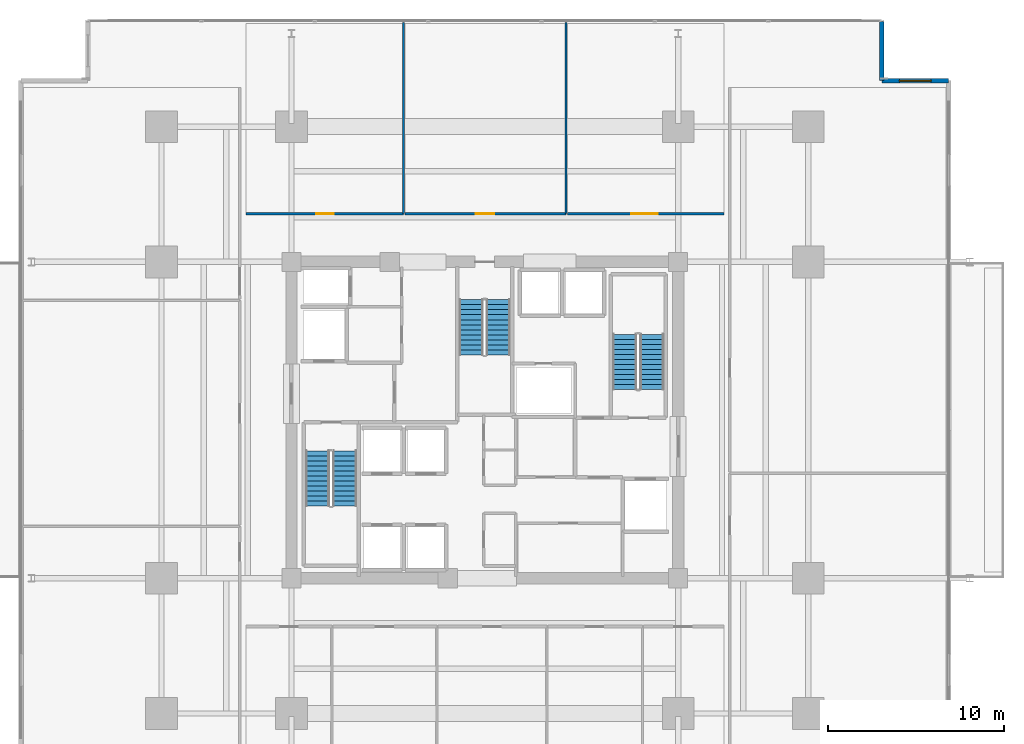
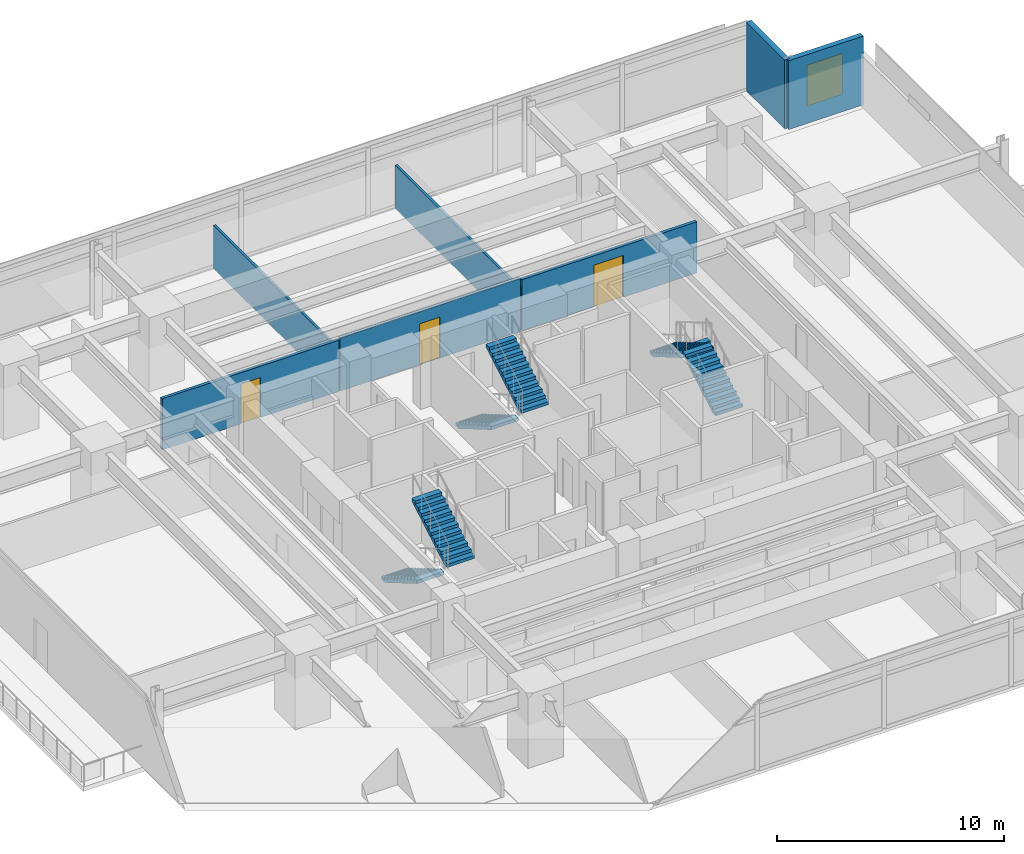
# One storey, part 19 of 23: 7 walls, 6 stair flights, 3 doors, 1 window, 4 openings, 3 elements without a shape of their own.
"""IFC4 building model written with IfcOpenShell, lengths in metres."""

from ifc_helpers import new_model, si_unit, direction, frame, frame_2d, origin, place, context, subcontext, project, spatial, polyline, rectangle, outline, extrude, material, layer, layer_set, type_object, element, fill, aggregate, save


model = new_model("IFC4")

# Units and contexts
model_context = context("Model", 3, precision=1e-05, world=origin(), true_north=direction((0.0, 1.0)))
body_context = subcontext(model_context, "Body", "Model", "MODEL_VIEW")
ifc_project = project(units=[si_unit("LENGTHUNIT", "METRE"), si_unit("AREAUNIT", "SQUARE_METRE"), si_unit("VOLUMEUNIT", "CUBIC_METRE"), si_unit("PLANEANGLEUNIT", "RADIAN"), si_unit("MASSUNIT", "GRAM", prefix="KILO")], contexts=[model_context])

# Site, building, storey
site_placement = place(None, origin())
site = spatial("IfcSite", under=ifc_project, at=site_placement, CompositionType="ELEMENT")
building_placement = place(site_placement, origin())
building = spatial("IfcBuilding", under=site, at=building_placement, Name="Kovane Verandah Tower", CompositionType="ELEMENT")
storey_placement = place(building_placement, frame((0.0, 0.0, 103.60009765625)))
storey = spatial("IfcBuildingStorey", under=building, at=storey_placement, Name="L24", CompositionType="ELEMENT", Elevation=103.60009765625)

# Wall, opening, door
ifc_material_1 = material(Name="Fire-Rated Gypsum Stud Partition", Category="gypsum")
ifc_layer_1 = layer(ifc_material_1, 0.14990234375)
ifc_layer_set_1 = layer_set([ifc_layer_1], Name="Fire-Rated Gypsum Stud Partition")
wall_type_1 = type_object("IfcWallType", Name="WL-COR-150", PredefinedType="PARTITIONING", material=ifc_layer_set_1)
wall_1_placement = place(storey_placement, frame((26.39990234375, 39.25, 0.0), z_axis=(0.0, 0.0, 1.0), x_axis=(1.0, 0.0, 0.0)))
wall_1 = element("IfcWall", 1, at=wall_1_placement, inside=storey, type_object=wall_type_1, Name="L24 Open Plan Office N1 Corridor Partition", PredefinedType="PARTITIONING", context=body_context, shape_type="SweptSolid", body=[
    extrude(rectangle(XDim=8.97607421875, YDim=0.14990234375, at=frame_2d((4.488037109375, 0.0))), origin(), (0.0, 0.0, 1.0), 2.75341796875),
])
opening_1_placement = place(wall_1_placement, frame((4.0029296875, 0.0, 0.0)))
opening_1 = element("IfcOpeningElement", 2, at=opening_1_placement, cuts=wall_1, Name="Opening DR-L24-017", PredefinedType="OPENING", context=body_context, shape_type="SweptSolid", body=[
    extrude(rectangle(XDim=1.0, YDim=2.14990234375, at=frame_2d((0.5, 1.074951171875))), frame((0.0, 0.074951171875, 0.0), z_axis=(0.0, -1.0, 0.0), x_axis=(1.0, 0.0, 0.0)), (0.0, 0.0, 1.0), 0.14990234375),
])
ifc_material_2 = material(Name="FSC Spotted-Gum Timber Fire-Rated Office Door", Category="wood")
door_type_1 = type_object("IfcDoorType", Name="DR-OFF-1000", OperationType="SINGLE_SWING_LEFT", PredefinedType="DOOR", material=ifc_material_2)
door_1_placement = place(opening_1_placement, origin())
door_1 = element("IfcDoor", 3, at=door_1_placement, inside=storey, type_object=door_type_1, Name="L24 Open Plan Office N1 Entrance Door", OperationType="SINGLE_SWING_LEFT", OverallHeight=2.14990234375, OverallWidth=1.0, PredefinedType="DOOR", context=body_context, shape_type="SweptSolid", body=[
    extrude(rectangle(XDim=1.0, YDim=2.14990234375, at=frame_2d((0.5, 1.074951171875))), frame((0.0, 0.02490234375, 0.0), z_axis=(0.0, -1.0, 0.0), x_axis=(1.0, 0.0, 0.0)), (0.0, 0.0, 1.0), 0.050048828125),
])
fill(opening_1, door_1)

wall_2_placement = place(storey_placement, frame((35.446044921875, 39.25, 0.0), z_axis=(0.0, 0.0, 1.0), x_axis=(1.0, 0.0, 0.0)))
wall_2 = element("IfcWall", 4, at=wall_2_placement, inside=storey, type_object=wall_type_1, Name="L24 Executive Office N2 Corridor Partition", PredefinedType="PARTITIONING", context=body_context, shape_type="SweptSolid", body=[
    extrude(rectangle(XDim=9.177978515625, YDim=0.14990234375, at=frame_2d((4.5888671875, 0.0))), origin(), (0.0, 0.0, 1.0), 2.849853515625),
])
opening_2_placement = place(wall_2_placement, frame((4.029052734375, 0.0, 0.0)))
opening_2 = element("IfcOpeningElement", 5, at=opening_2_placement, cuts=wall_2, Name="Opening DR-L24-018", PredefinedType="OPENING", context=body_context, shape_type="SweptSolid", body=[
    extrude(rectangle(XDim=1.050048828125, YDim=2.199951171875, at=frame_2d((0.52490234375, 1.10009765625))), frame((0.0, 0.074951171875, 0.0), z_axis=(0.0, -1.0, 0.0), x_axis=(1.0, 0.0, 0.0)), (0.0, 0.0, 1.0), 0.14990234375),
])
ifc_material_3 = material(Name="FSC Blackbutt Timber Fire-Rated Executive Door", Category="wood")
door_type_2 = type_object("IfcDoorType", Name="DR-EXEC-1050", OperationType="SINGLE_SWING_LEFT", PredefinedType="DOOR", material=ifc_material_3)
door_2_placement = place(opening_2_placement, origin())
door_2 = element("IfcDoor", 6, at=door_2_placement, inside=storey, type_object=door_type_2, Name="L24 Executive Office N2 Entrance Door", OperationType="SINGLE_SWING_RIGHT", OverallHeight=2.199951171875, OverallWidth=1.050048828125, PredefinedType="DOOR", context=body_context, shape_type="SweptSolid", body=[
    extrude(rectangle(XDim=1.050048828125, YDim=2.199951171875, at=frame_2d((0.52490234375, 1.10009765625))), frame((0.0, 0.02490234375, 0.0), z_axis=(0.0, -1.0, 0.0), x_axis=(1.0, 0.0, 0.0)), (0.0, 0.0, 1.0), 0.050048828125),
])
fill(opening_2, door_2)

wall_3_placement = place(storey_placement, frame((44.694091796875, 39.25, 0.0), z_axis=(0.0, 0.0, 1.0), x_axis=(1.0, 0.0, 0.0)))
wall_3 = element("IfcWall", 7, at=wall_3_placement, inside=storey, type_object=wall_type_1, Name="L24 Client Boardroom N3 Corridor Partition", PredefinedType="PARTITIONING", context=body_context, shape_type="SweptSolid", body=[
    extrude(rectangle(XDim=8.906005859375, YDim=0.14990234375, at=frame_2d((4.453125, 0.0))), origin(), (0.0, 0.0, 1.0), 2.75341796875),
])
opening_3_placement = place(wall_3_placement, frame((3.653076171875, 0.0, 0.0)))
opening_3 = element("IfcOpeningElement", 8, at=opening_3_placement, cuts=wall_3, Name="Opening DR-L24-019", PredefinedType="OPENING", context=body_context, shape_type="SweptSolid", body=[
    extrude(rectangle(XDim=1.5, YDim=2.25, at=frame_2d((0.75, 1.125))), frame((0.0, 0.074951171875, 0.0), z_axis=(0.0, -1.0, 0.0), x_axis=(1.0, 0.0, 0.0)), (0.0, 0.0, 1.0), 0.14990234375),
])
ifc_material_4 = material(Name="Glazed Timber Fire-Rated Double Door", Category="wood")
door_type_3 = type_object("IfcDoorType", Name="DR-CONF-1500", OperationType="DOUBLE_DOOR_SINGLE_SWING", PredefinedType="DOOR", material=ifc_material_4)
door_3_placement = place(opening_3_placement, origin())
door_3 = element("IfcDoor", 9, at=door_3_placement, inside=storey, type_object=door_type_3, Name="L24 Client Boardroom N3 Entrance Door", OperationType="DOUBLE_DOOR_SINGLE_SWING", OverallHeight=2.25, OverallWidth=1.5, PredefinedType="DOOR", context=body_context, shape_type="SweptSolid", body=[
    extrude(rectangle(XDim=1.5, YDim=2.25, at=frame_2d((0.75, 1.125))), frame((0.0, 0.02490234375, 0.0), z_axis=(0.0, -1.0, 0.0), x_axis=(1.0, 0.0, 0.0)), (0.0, 0.0, 1.0), 0.050048828125),
])
fill(opening_3, door_3)

# Walls
ifc_material_5 = material(Name="Acoustic Fire-Rated Gypsum Partition", Category="gypsum")
ifc_layer_2 = layer(ifc_material_5, 0.1201171875)
ifc_layer_set_2 = layer_set([ifc_layer_2], Name="Acoustic Fire-Rated Gypsum Partition")
wall_type_2 = type_object("IfcWallType", Name="WL-PART-120", PredefinedType="PARTITIONING", material=ifc_layer_set_2)
for number, where, z_axis, x_axis, name in (
    (10, (35.3759765625, 39.25, 0.0), (0.0, 0.0, 1.0), (0.0, 1.0, 0.0), "L24 Open Plan Office N1 Dividing Partition"),
    (11, (44.6240234375, 39.25, 0.0), (0.0, 0.0, 1.0), (0.0, 1.0, 0.0), "L24 Executive Office N2 Dividing Partition"),
):
    element("IfcWall", number, at=place(storey_placement, frame(where, z_axis=z_axis, x_axis=x_axis)), inside=storey, type_object=wall_type_2, Name=name, PredefinedType="PARTITIONING", context=body_context, shape_type="SweptSolid", body=[
        extrude(rectangle(XDim=10.868896484375, YDim=0.1201171875, at=frame_2d((5.4345703125, 0.0))), origin(), (0.0, 0.0, 1.0), 2.329833984375),
    ])

# Wall, opening, window
ifc_material_6 = material(Name="Concrete C45/55 Insulated Spandrel Wall", Category="concrete")
ifc_layer_3 = layer(ifc_material_6, 0.260009765625)
ifc_layer_set_3 = layer_set([ifc_layer_3], Name="Concrete C45/55 Insulated Spandrel Wall")
wall_type_3 = type_object("IfcWallType", Name="WL-SPANDREL-260", PredefinedType="PARAPET", material=ifc_layer_set_3)
wall_4_placement = place(storey_placement, frame((66.398681640625, 46.819091796875, 0.0), z_axis=(0.0, 0.0, 1.0), x_axis=(-1.0, 0.0, 0.0)))
wall_4 = element("IfcWall", 12, at=wall_4_placement, inside=storey, type_object=wall_type_3, Name="L24 NE Notch Cheek Wall 1", PredefinedType="PARAPET", context=body_context, shape_type="SweptSolid", body=[
    extrude(rectangle(XDim=3.800048828125, YDim=0.260009765625, at=frame_2d((1.89990234375, 0.0))), origin(), (0.0, 0.0, 1.0), 3.699951171875),
])
opening_4_placement = place(wall_4_placement, frame((1.0, 0.0, 0.85009765625)))
opening_4 = element("IfcOpeningElement", 13, at=opening_4_placement, cuts=wall_4, Name="Opening W-03", PredefinedType="OPENING", context=body_context, shape_type="SweptSolid", body=[
    extrude(rectangle(XDim=1.800048828125, YDim=2.199951171875, at=frame_2d((0.89990234375, 1.10009765625))), frame((0.0, 0.1298828125, 0.0), z_axis=(0.0, -1.0, 0.0), x_axis=(1.0, 0.0, 0.0)), (0.0, 0.0, 1.0), 0.260009765625),
])
ifc_material_7 = material(Name="Clear Low-E Laminated Double Glazing in Anodised Frame", Category="glass")
window_type = type_object("IfcWindowType", Name="WN-NOTCH-1800x2200", PartitioningType="SINGLE_PANEL", PredefinedType="WINDOW", material=ifc_material_7)
window_placement = place(opening_4_placement, origin())
window = element("IfcWindow", 14, at=window_placement, inside=storey, type_object=window_type, Name="L24 NE Re-Entrant Corner Operable Window", OverallHeight=2.199951171875, OverallWidth=1.800048828125, PartitioningType="SINGLE_PANEL", PredefinedType="WINDOW", context=body_context, shape_type="SweptSolid", body=[
    extrude(rectangle(XDim=1.800048828125, YDim=2.199951171875, at=frame_2d((0.89990234375, 1.10009765625))), frame((0.0, 0.030029296875, 0.0), z_axis=(0.0, -1.0, 0.0), x_axis=(1.0, 0.0, 0.0)), (0.0, 0.0, 1.0), 0.06005859375),
])
fill(opening_4, window)

# Wall
wall_5_placement = place(storey_placement, frame((62.5986328125, 46.819091796875, 0.0), z_axis=(0.0, 0.0, 1.0), x_axis=(0.0, 1.0, 0.0)))
element("IfcWall", 15, at=wall_5_placement, inside=storey, type_object=wall_type_3, Name="L24 NE Notch Cheek Wall 2", PredefinedType="PARAPET", context=body_context, shape_type="SweptSolid", body=[
    extrude(rectangle(XDim=3.39990234375, YDim=0.260009765625, at=frame_2d((1.699951171875, 0.0))), origin(), (0.0, 0.0, 1.0), 3.699951171875),
])

# Stair, stair flights
ifc_material_8 = material(Name="Concrete C45/55", Category="concrete")
stair_type = type_object("IfcStairType", Name="ST-CORE-1380", PredefinedType="HALF_TURN_STAIR", material=ifc_material_8)
stair_1_placement = place(storey_placement, origin())
stair_1 = element("IfcStair", 16, at=stair_1_placement, inside=storey, type_object=stair_type, Name="L24 Exit Stair ST-01", PredefinedType="HALF_TURN_STAIR")
stair_flight_type = type_object("IfcStairFlightType", Name="STF-CORE-1380", PredefinedType="STRAIGHT", material=ifc_material_8)
stair_flight_1_placement = place(storey_placement, frame((30.489990234375, 25.75, 0.0), z_axis=(0.0, 0.0, 1.0), x_axis=(0.0, -1.0, 0.0)))
stair_flight_1 = element("IfcStairFlight", 17, at=stair_flight_1_placement, type_object=stair_flight_type, Name="ST-01 flight 1", NumberOfRisers=12, NumberOfTreads=11, PredefinedType="STRAIGHT", RiserHeight=0.166666667, TreadLength=0.285, context=body_context, shape_type="SweptSolid", body=[
    extrude(outline(polyline([(0.0, 0.0), (0.0, 0.166748046875), (0.284912109375, 0.166748046875), (0.284912109375, 0.333251953125), (0.570068359375, 0.333251953125), (0.570068359375, 0.5), (0.85498046875, 0.5), (0.85498046875, 0.666748046875), (1.139892578125, 0.666748046875), (1.139892578125, 0.833251953125), (1.425048828125, 0.833251953125), (1.425048828125, 1.0), (1.7099609375, 1.0), (1.7099609375, 1.166748046875), (1.9951171875, 1.166748046875), (1.9951171875, 1.333251953125), (2.280029296875, 1.333251953125), (2.280029296875, 1.5), (2.56494140625, 1.5), (2.56494140625, 1.666748046875), (2.85009765625, 1.666748046875), (2.85009765625, 1.833251953125), (3.135009765625, 1.833251953125), (3.135009765625, 2.0), (3.135009765625, 1.65966796875), (0.296875, 0.0), (0.0, 0.0)])), frame((0.0, 0.68994140625, 0.0), z_axis=(0.0, -1.0, 0.0), x_axis=(1.0, 0.0, 0.0)), (0.0, 0.0, 1.0), 1.3798828125),
])
stair_flight_2_placement = place(storey_placement, frame((32.030029296875, 22.614990234375, 2.0), z_axis=(0.0, 0.0, 1.0), x_axis=(0.0, 1.0, 0.0)))
stair_flight_2 = element("IfcStairFlight", 18, at=stair_flight_2_placement, type_object=stair_flight_type, Name="ST-01 flight 2", NumberOfRisers=12, NumberOfTreads=11, PredefinedType="STRAIGHT", RiserHeight=0.166666667, TreadLength=0.285, context=body_context, shape_type="SweptSolid", body=[
    extrude(outline(polyline([(0.0, 0.0), (0.0, 0.166748046875), (0.284912109375, 0.166748046875), (0.284912109375, 0.333251953125), (0.570068359375, 0.333251953125), (0.570068359375, 0.5), (0.85498046875, 0.5), (0.85498046875, 0.666748046875), (1.139892578125, 0.666748046875), (1.139892578125, 0.833251953125), (1.425048828125, 0.833251953125), (1.425048828125, 1.0), (1.7099609375, 1.0), (1.7099609375, 1.166748046875), (1.9951171875, 1.166748046875), (1.9951171875, 1.333251953125), (2.280029296875, 1.333251953125), (2.280029296875, 1.5), (2.56494140625, 1.5), (2.56494140625, 1.666748046875), (2.85009765625, 1.666748046875), (2.85009765625, 1.833251953125), (3.135009765625, 1.833251953125), (3.135009765625, 2.0), (3.135009765625, 1.65966796875), (0.296875, 0.0), (0.0, 0.0)])), frame((0.0, 0.68994140625, 0.0), z_axis=(0.0, -1.0, 0.0), x_axis=(1.0, 0.0, 0.0)), (0.0, 0.0, 1.0), 1.3798828125),
])
aggregate(stair_1, [stair_flight_1, stair_flight_2])

stair_2_placement = place(storey_placement, origin())
stair_2 = element("IfcStair", 19, at=stair_2_placement, inside=storey, type_object=stair_type, Name="L24 Exit Stair ST-02", PredefinedType="HALF_TURN_STAIR")
stair_flight_3_placement = place(storey_placement, frame((49.510009765625, 29.25, 0.0), z_axis=(0.0, 0.0, 1.0), x_axis=(0.0, 1.0, 0.0)))
stair_flight_3 = element("IfcStairFlight", 20, at=stair_flight_3_placement, type_object=stair_flight_type, Name="ST-02 flight 1", NumberOfRisers=12, NumberOfTreads=11, PredefinedType="STRAIGHT", RiserHeight=0.166666667, TreadLength=0.285, context=body_context, shape_type="SweptSolid", body=[
    extrude(outline(polyline([(0.0, 0.0), (0.0, 0.166748046875), (0.284912109375, 0.166748046875), (0.284912109375, 0.333251953125), (0.570068359375, 0.333251953125), (0.570068359375, 0.5), (0.85498046875, 0.5), (0.85498046875, 0.666748046875), (1.139892578125, 0.666748046875), (1.139892578125, 0.833251953125), (1.425048828125, 0.833251953125), (1.425048828125, 1.0), (1.7099609375, 1.0), (1.7099609375, 1.166748046875), (1.9951171875, 1.166748046875), (1.9951171875, 1.333251953125), (2.280029296875, 1.333251953125), (2.280029296875, 1.5), (2.56494140625, 1.5), (2.56494140625, 1.666748046875), (2.85009765625, 1.666748046875), (2.85009765625, 1.833251953125), (3.135009765625, 1.833251953125), (3.135009765625, 2.0), (3.135009765625, 1.65966796875), (0.296875, 0.0), (0.0, 0.0)])), frame((0.0, 0.68994140625, 0.0), z_axis=(0.0, -1.0, 0.0), x_axis=(1.0, 0.0, 0.0)), (0.0, 0.0, 1.0), 1.3798828125),
])
stair_flight_4_placement = place(storey_placement, frame((47.969970703125, 32.385009765625, 2.0), z_axis=(0.0, 0.0, 1.0), x_axis=(0.0, -1.0, 0.0)))
stair_flight_4 = element("IfcStairFlight", 21, at=stair_flight_4_placement, type_object=stair_flight_type, Name="ST-02 flight 2", NumberOfRisers=12, NumberOfTreads=11, PredefinedType="STRAIGHT", RiserHeight=0.166666667, TreadLength=0.285, context=body_context, shape_type="SweptSolid", body=[
    extrude(outline(polyline([(0.0, 0.0), (0.0, 0.166748046875), (0.284912109375, 0.166748046875), (0.284912109375, 0.333251953125), (0.570068359375, 0.333251953125), (0.570068359375, 0.5), (0.85498046875, 0.5), (0.85498046875, 0.666748046875), (1.139892578125, 0.666748046875), (1.139892578125, 0.833251953125), (1.425048828125, 0.833251953125), (1.425048828125, 1.0), (1.7099609375, 1.0), (1.7099609375, 1.166748046875), (1.9951171875, 1.166748046875), (1.9951171875, 1.333251953125), (2.280029296875, 1.333251953125), (2.280029296875, 1.5), (2.56494140625, 1.5), (2.56494140625, 1.666748046875), (2.85009765625, 1.666748046875), (2.85009765625, 1.833251953125), (3.135009765625, 1.833251953125), (3.135009765625, 2.0), (3.135009765625, 1.65966796875), (0.296875, 0.0), (0.0, 0.0)])), frame((0.0, 0.68994140625, 0.0), z_axis=(0.0, -1.0, 0.0), x_axis=(1.0, 0.0, 0.0)), (0.0, 0.0, 1.0), 1.3798828125),
])
aggregate(stair_2, [stair_flight_3, stair_flight_4])

stair_3_placement = place(storey_placement, origin())
stair_3 = element("IfcStair", 22, at=stair_3_placement, inside=storey, type_object=stair_type, Name="L24 Exit Stair ST-03", PredefinedType="HALF_TURN_STAIR")
stair_flight_5_placement = place(storey_placement, frame((39.22998046875, 34.35009765625, 0.0), z_axis=(0.0, 0.0, 1.0), x_axis=(0.0, -1.0, 0.0)))
stair_flight_5 = element("IfcStairFlight", 23, at=stair_flight_5_placement, type_object=stair_flight_type, Name="ST-03 flight 1", NumberOfRisers=12, NumberOfTreads=11, PredefinedType="STRAIGHT", RiserHeight=0.166666667, TreadLength=0.285, context=body_context, shape_type="SweptSolid", body=[
    extrude(outline(polyline([(0.0, 0.0), (0.0, 0.166748046875), (0.284912109375, 0.166748046875), (0.284912109375, 0.333251953125), (0.570068359375, 0.333251953125), (0.570068359375, 0.5), (0.85498046875, 0.5), (0.85498046875, 0.666748046875), (1.139892578125, 0.666748046875), (1.139892578125, 0.833251953125), (1.425048828125, 0.833251953125), (1.425048828125, 1.0), (1.7099609375, 1.0), (1.7099609375, 1.166748046875), (1.9951171875, 1.166748046875), (1.9951171875, 1.333251953125), (2.280029296875, 1.333251953125), (2.280029296875, 1.5), (2.56494140625, 1.5), (2.56494140625, 1.666748046875), (2.85009765625, 1.666748046875), (2.85009765625, 1.833251953125), (3.135009765625, 1.833251953125), (3.135009765625, 2.0), (3.135009765625, 1.65966796875), (0.296875, 0.0), (0.0, 0.0)])), frame((0.0, 0.68994140625, 0.0), z_axis=(0.0, -1.0, 0.0), x_axis=(1.0, 0.0, 0.0)), (0.0, 0.0, 1.0), 1.3798828125),
])
stair_flight_6_placement = place(storey_placement, frame((40.77001953125, 31.215087890625, 2.0), z_axis=(0.0, 0.0, 1.0), x_axis=(0.0, 1.0, 0.0)))
stair_flight_6 = element("IfcStairFlight", 24, at=stair_flight_6_placement, type_object=stair_flight_type, Name="ST-03 flight 2", NumberOfRisers=12, NumberOfTreads=11, PredefinedType="STRAIGHT", RiserHeight=0.166666667, TreadLength=0.285, context=body_context, shape_type="SweptSolid", body=[
    extrude(outline(polyline([(0.0, 0.0), (0.0, 0.166748046875), (0.284912109375, 0.166748046875), (0.284912109375, 0.333251953125), (0.570068359375, 0.333251953125), (0.570068359375, 0.5), (0.85498046875, 0.5), (0.85498046875, 0.666748046875), (1.139892578125, 0.666748046875), (1.139892578125, 0.833251953125), (1.425048828125, 0.833251953125), (1.425048828125, 1.0), (1.7099609375, 1.0), (1.7099609375, 1.166748046875), (1.9951171875, 1.166748046875), (1.9951171875, 1.333251953125), (2.280029296875, 1.333251953125), (2.280029296875, 1.5), (2.56494140625, 1.5), (2.56494140625, 1.666748046875), (2.85009765625, 1.666748046875), (2.85009765625, 1.833251953125), (3.135009765625, 1.833251953125), (3.135009765625, 2.0), (3.135009765625, 1.65966796875), (0.296875, 0.0), (0.0, 0.0)])), frame((0.0, 0.68994140625, 0.0), z_axis=(0.0, -1.0, 0.0), x_axis=(1.0, 0.0, 0.0)), (0.0, 0.0, 1.0), 1.3798828125),
])
aggregate(stair_3, [stair_flight_5, stair_flight_6])

save(model, "model.ifc")
